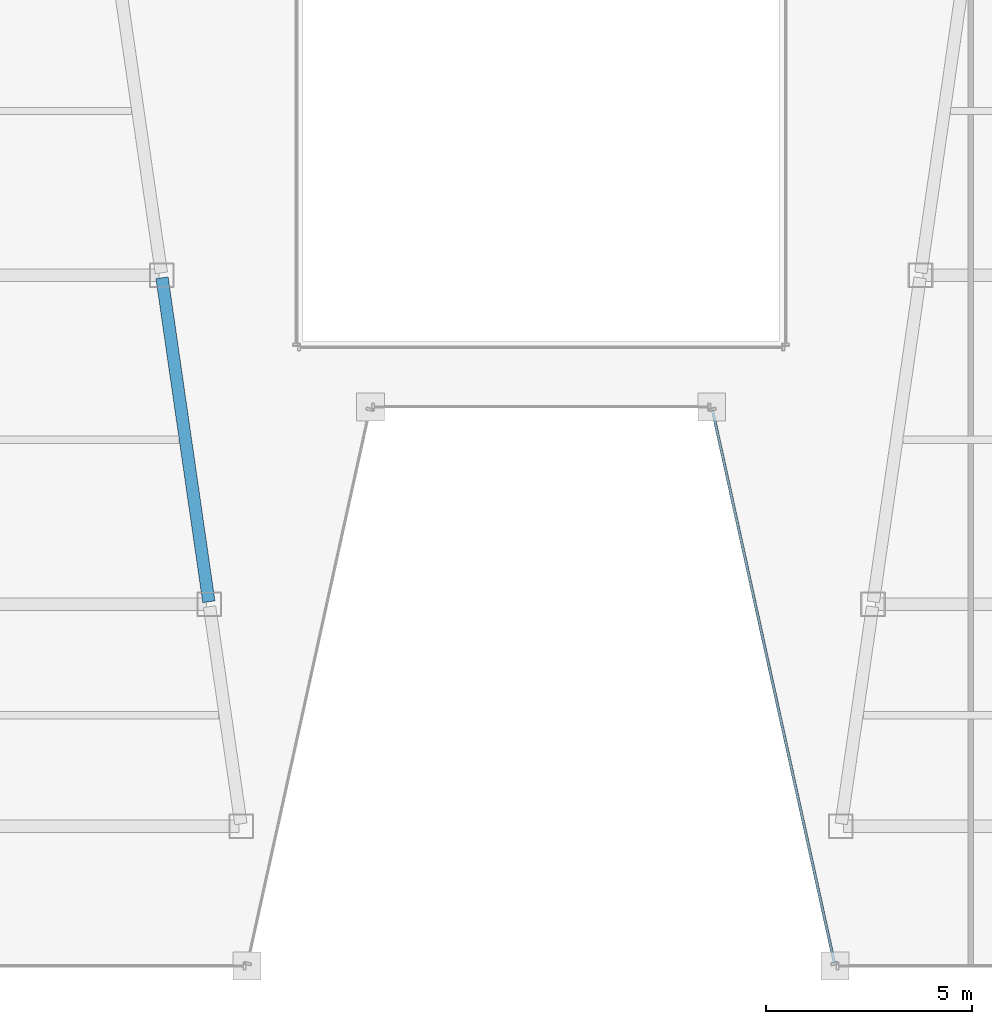
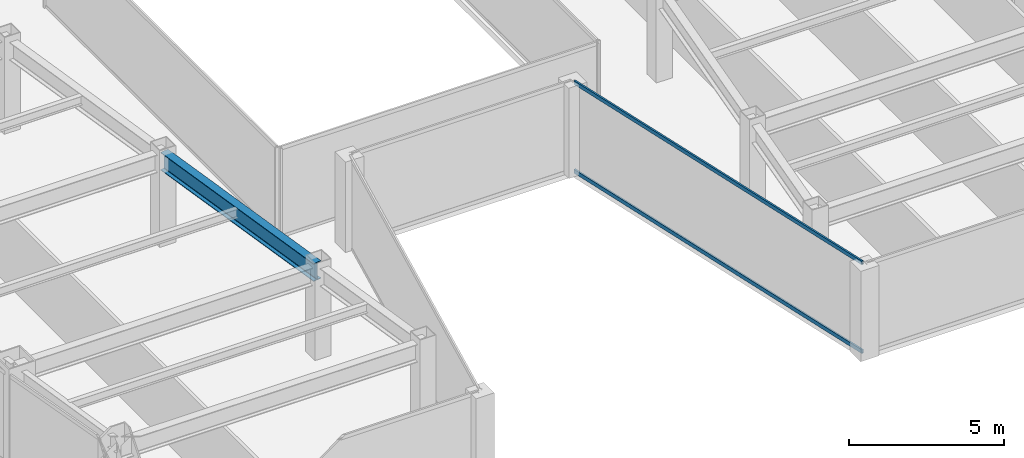
# One storey, part 6 of 36: 2 members, 1 beam, 1 element without a shape of its own.
"""IFC4 building model written with IfcOpenShell, lengths in metres."""

from ifc_helpers import new_model, si_unit, direction, frame, origin, origin_2d, place, context, subcontext, project, spatial, hollow_rectangle, i_section, extrude, material, material_profile, profile_set, type_object, element, aggregate, save


model = new_model("IFC4")

# Units and contexts
model_context = context("Model", 3, precision=1e-05, world=origin(), true_north=direction((0.0, 1.0)))
body_context = subcontext(model_context, "Body", "Model", "MODEL_VIEW")
ifc_project = project(units=[si_unit("LENGTHUNIT", "METRE"), si_unit("AREAUNIT", "SQUARE_METRE"), si_unit("VOLUMEUNIT", "CUBIC_METRE"), si_unit("PLANEANGLEUNIT", "RADIAN"), si_unit("MASSUNIT", "GRAM", prefix="KILO")], contexts=[model_context])

# Site, building, storey
site_placement = place(None, origin())
site = spatial("IfcSite", under=ifc_project, at=site_placement, CompositionType="ELEMENT")
building_placement = place(site_placement, origin())
building = spatial("IfcBuilding", under=site, at=building_placement, Name="Saevonmaru Cultural Tower", CompositionType="ELEMENT")
storey_placement = place(building_placement, frame((0.0, 0.0, 148.60009765625)))
storey = spatial("IfcBuildingStorey", under=building, at=storey_placement, Name="L32", CompositionType="ELEMENT", Elevation=148.60009765625)

# Beam
ifc_material_1 = material(Name="Steel SM355", Category="steel")
ifc_material_profile_1 = material_profile(ifc_material_1, i_section(OverallWidth=0.300048828125, OverallDepth=0.699951171875, WebThickness=0.012939453125, FlangeThickness=0.02392578125, FilletRadius=0.02587890625, at=origin_2d()), Name="H-700x300x13x24")
ifc_profile_set_1 = profile_set([ifc_material_profile_1], Name="Steel SM355")
beam_type = type_object("IfcBeamType", Name="BM-G-H700", PredefinedType="BEAM", material=ifc_profile_set_1)
beam_placement = place(storey_placement, frame((21.91943359375, 16.059326171875, 3.199951171875), z_axis=(-0.143022161059, 0.989719486241, 0.0), x_axis=(-0.989719486241, -0.143022161059, 0.0)))
element("IfcBeam", 1, at=beam_placement, inside=storey, type_object=beam_type, Name="L32 West Atrium Girder 2", PredefinedType="BEAM", context=body_context, shape_type="SweptSolid", body=[
    extrude(i_section(OverallWidth=0.300048828125, OverallDepth=0.699951171875, WebThickness=0.012939453125, FlangeThickness=0.02392578125, FilletRadius=0.02587890625, at=origin_2d()), origin(), (0.0, 0.0, 1.0), 7.963134765625),
])

# Curtain wall, members
ifc_material_2 = material(Name="Satin Bronze Anodised Aluminium", Category="aluminium")
curtain_wall_type = type_object("IfcCurtainWallType", Name="CW-TYP-A", PredefinedType="NOTDEFINED", material=ifc_material_2)
curtain_wall_placement = place(storey_placement, origin())
curtain_wall = element("IfcCurtainWall", 2, at=curtain_wall_placement, inside=storey, type_object=curtain_wall_type, Name="L32 Unitised Curtain Wall E5", PredefinedType="NOTDEFINED")
ifc_material_profile_2 = material_profile(ifc_material_2, hollow_rectangle(XDim=0.06494140625, YDim=0.14990234375, WallThickness=0.00390625, at=origin_2d()), Name="ALU-TRAN-150x65x4")
ifc_profile_set_2 = profile_set([ifc_material_profile_2], Name="Satin Bronze Anodised Aluminium")
member_type = type_object("IfcMemberType", Name="TR-CW-150x65", PredefinedType="USERDEFINED", material=ifc_profile_set_2)
member_1_placement = place(storey_placement, frame((34.1708984375, 20.709716796875, 0.032470703125), z_axis=(0.21541214732, -0.976523223885, 0.0), x_axis=(0.976523223885, 0.21541214732, 0.0)))
member_1 = element("IfcMember", 3, at=member_1_placement, type_object=member_type, Name="CW-TW-L32-E5 transom 1.1", ObjectType="TRANSOM", PredefinedType="USERDEFINED", context=body_context, shape_type="SweptSolid", body=[
    extrude(hollow_rectangle(XDim=0.06494140625, YDim=0.14990234375, WallThickness=0.00390625, at=origin_2d()), origin(), (0.0, 0.0, 1.0), 13.741943359375),
])
member_2_placement = place(storey_placement, frame((34.1708984375, 20.709716796875, 3.517333984375), z_axis=(0.21541214732, -0.976523223885, 0.0), x_axis=(0.976523223885, 0.21541214732, 0.0)))
member_2 = element("IfcMember", 4, at=member_2_placement, type_object=member_type, Name="CW-TW-L32-E5 transom 1.2", ObjectType="TRANSOM", PredefinedType="USERDEFINED", context=body_context, shape_type="SweptSolid", body=[
    extrude(hollow_rectangle(XDim=0.06494140625, YDim=0.14990234375, WallThickness=0.00390625, at=origin_2d()), origin(), (0.0, 0.0, 1.0), 13.741943359375),
])
aggregate(curtain_wall, [member_1, member_2])

save(model, "model.ifc")
